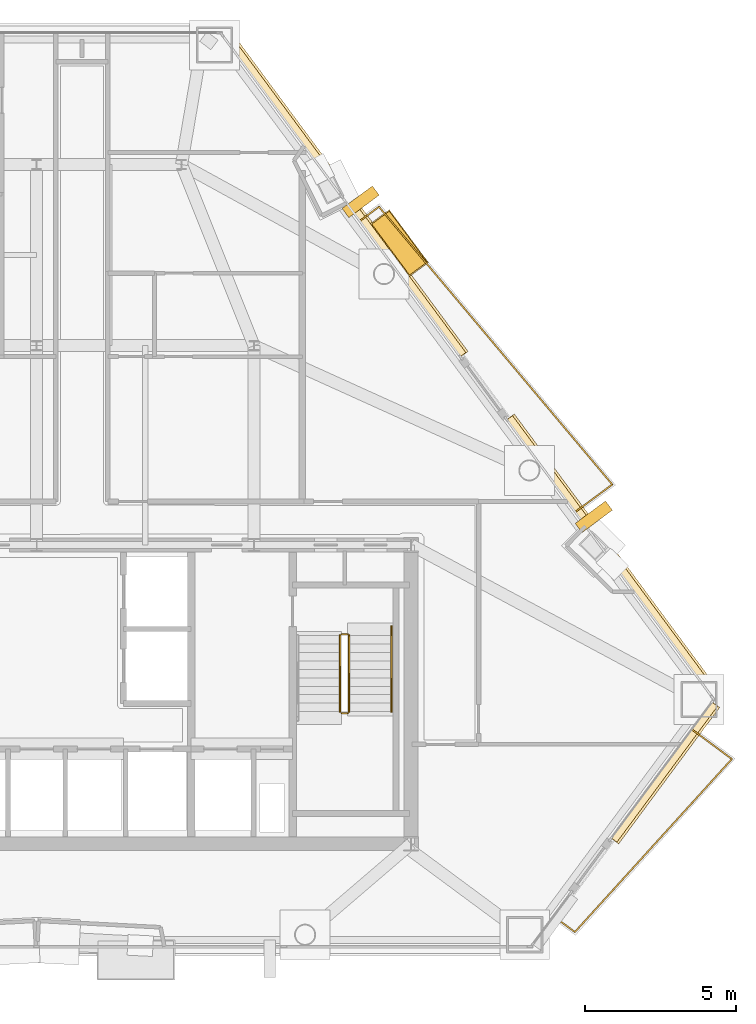
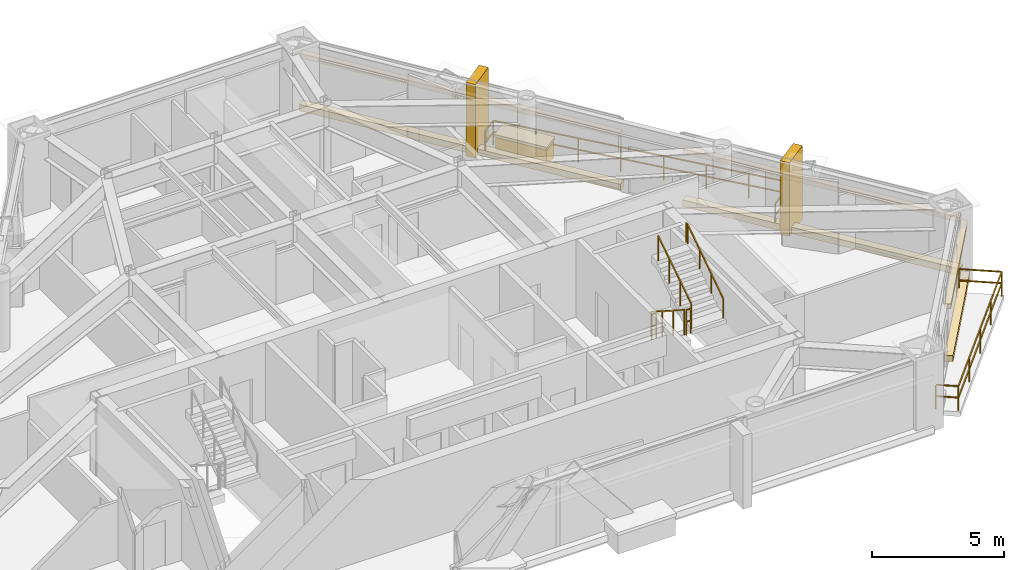
# One storey, part 11 of 11: 10 coverings, 7 railings.
"""IFC4 building model written with IfcOpenShell, lengths in metres."""

from ifc_helpers import new_model, si_unit, direction, frame, origin, origin_2d, place, context, subcontext, project, spatial, rectangle, extrude, material, layer, layer_set, type_object, element, save


model = new_model("IFC4")

# Units and contexts
model_context = context("Model", 3, precision=1e-05, world=origin(), true_north=direction((0.0, 1.0)))
body_context = subcontext(model_context, "Body", "Model", "MODEL_VIEW")
ifc_project = project(units=[si_unit("LENGTHUNIT", "METRE"), si_unit("AREAUNIT", "SQUARE_METRE"), si_unit("VOLUMEUNIT", "CUBIC_METRE"), si_unit("PLANEANGLEUNIT", "RADIAN"), si_unit("MASSUNIT", "GRAM", prefix="KILO")], contexts=[model_context])

# Site, building, storey
site_placement = place(None, origin())
site = spatial("IfcSite", under=ifc_project, at=site_placement, CompositionType="ELEMENT")
building_placement = place(site_placement, origin())
building = spatial("IfcBuilding", under=site, at=building_placement, Name="Talgorran Terracotta Tower", CompositionType="ELEMENT")
storey_placement = place(building_placement, frame((0.0, 0.0, 110.39990234375)))
storey = spatial("IfcBuildingStorey", under=building, at=storey_placement, Name="L28", CompositionType="ELEMENT", Elevation=110.39990234375)

# Coverings
ifc_material_1 = material(Name="Kiln-Fired Terracotta Ochre Ceramic", Category="masonry")
ifc_layer_1 = layer(ifc_material_1, 0.179931640625, Name="COV_BAGUETTE_TERRACOTTA_SCREEN")
ifc_layer_set_1 = layer_set([ifc_layer_1], Name="Kiln-Fired Terracotta Ochre Ceramic")
covering_type_1 = type_object("IfcCoveringType", Name="COV_BAGUETTE_TERRACOTTA_SCREEN", PredefinedType="CLADDING", material=ifc_layer_set_1)
covering_1_placement = place(storey_placement, frame((20.780517578125, -11.715087890625, 2.41015625), z_axis=(0.0, 0.0, 1.0), x_axis=(0.594906963183, 0.803794566513, 0.0)))
element("IfcCovering", 1, at=covering_1_placement, inside=storey, type_object=covering_type_1, Name="L28 Terracotta Baguette Solar Screen Assembly F31", PredefinedType="CLADDING", context=body_context, shape_type="SweptSolid", body=[
    extrude(rectangle(XDim=5.60205078125, YDim=0.260009765625, at=origin_2d()), origin(), (0.0, 0.0, 1.0), 0.219970703125),
])
covering_2_placement = place(storey_placement, frame((19.05224609375, -4.581298828125, 2.41015625), z_axis=(0.0, 0.0, 1.0), x_axis=(-0.594906963183, 0.803794566513, 0.0)))
element("IfcCovering", 2, at=covering_2_placement, inside=storey, type_object=covering_type_1, Name="L28 Terracotta Baguette Solar Screen Assembly F40", PredefinedType="CLADDING", context=body_context, shape_type="SweptSolid", body=[
    extrude(rectangle(XDim=11.412109375, YDim=0.260009765625, at=origin_2d()), origin(), (0.0, 0.0, 1.0), 0.219970703125),
])
covering_3_placement = place(storey_placement, frame((10.17431640625, 7.414306640625, 2.41015625), z_axis=(0.0, 0.0, 1.0), x_axis=(-0.594906963183, 0.803794566513, 0.0)))
element("IfcCovering", 3, at=covering_3_placement, inside=storey, type_object=covering_type_1, Name="L28 Terracotta Baguette Solar Screen Assembly F41", PredefinedType="CLADDING", context=body_context, shape_type="SweptSolid", body=[
    extrude(rectangle(XDim=13.23486328125, YDim=0.260009765625, at=origin_2d()), origin(), (0.0, 0.0, 1.0), 0.219970703125),
])
ifc_material_2 = material(Name="Honed Limestone and Terracotta Planter", Category="masonry")
ifc_layer_2 = layer(ifc_material_2, 0.1201171875, Name="COV_PLANTER_BOX")
ifc_layer_set_2 = layer_set([ifc_layer_2], Name="Honed Limestone and Terracotta Planter")
covering_type_2 = type_object("IfcCoveringType", Name="COV_PLANTER_BOX", PredefinedType="CLADDING", material=ifc_layer_set_2)
covering_4_placement = place(storey_placement, frame((12.01611328125, 5.798095703125, -0.02001953125), z_axis=(0.0, 0.0, 1.0), x_axis=(-0.594906963183, 0.803794566513, 0.0)))
element("IfcCovering", 4, at=covering_4_placement, inside=storey, type_object=covering_type_2, Name="L28 Staggered Balcony Planter Box BAL-NE", PredefinedType="CLADDING", context=body_context, shape_type="SweptSolid", body=[
    extrude(rectangle(XDim=2.10009765625, YDim=0.719970703125, at=origin_2d()), origin(), (0.0, 0.0, 1.0), 0.860107421875),
])
ifc_material_3 = material(Name="Kiln-Fired Terracotta Planter Rim", Category="masonry")
ifc_layer_3 = layer(ifc_material_3, 0.10009765625, Name="COV_PLANTER_RIM")
ifc_layer_set_3 = layer_set([ifc_layer_3], Name="Kiln-Fired Terracotta Planter Rim")
covering_type_3 = type_object("IfcCoveringType", Name="COV_PLANTER_RIM", PredefinedType="CLADDING", material=ifc_layer_set_3)
covering_5_placement = place(storey_placement, frame((12.01611328125, 5.798095703125, 0.800048828125), z_axis=(0.0, 0.0, 1.0), x_axis=(-0.594906963183, 0.803794566513, 0.0)))
element("IfcCovering", 5, at=covering_5_placement, inside=storey, type_object=covering_type_3, Name="L28 Balcony Planter Terracotta Rim BAL-NE", PredefinedType="CLADDING", context=body_context, shape_type="SweptSolid", body=[
    extrude(rectangle(XDim=2.179931640625, YDim=0.780029296875, at=origin_2d()), origin(), (0.0, 0.0, 1.0), 0.1201171875),
])
ifc_material_4 = material(Name="Honed Limestone Cladding", Category="masonry")
ifc_layer_4 = layer(ifc_material_4, 0.094970703125, Name="COV_PORTAL_LIME")
ifc_layer_set_4 = layer_set([ifc_layer_4], Name="Honed Limestone Cladding")
covering_type_4 = type_object("IfcCoveringType", Name="COV_PORTAL_LIME", PredefinedType="CLADDING", material=ifc_layer_set_4)
covering_6_placement = place(storey_placement, frame((20.8125, -11.73876953125, -0.0400390625), z_axis=(0.0, 0.0, 1.0), x_axis=(0.594906963183, 0.803794566513, 0.0)))
element("IfcCovering", 6, at=covering_6_placement, inside=storey, type_object=covering_type_4, Name="L28 Striped Postmodern Portal Cladding Band F31", PredefinedType="CLADDING", context=body_context, shape_type="SweptSolid", body=[
    extrude(rectangle(XDim=5.6220703125, YDim=0.340087890625, at=origin_2d()), origin(), (0.0, 0.0, 1.0), 0.300048828125),
])
covering_7_placement = place(storey_placement, frame((19.08447265625, -4.557373046875, -0.0400390625), z_axis=(0.0, 0.0, 1.0), x_axis=(-0.594906963183, 0.803794566513, 0.0)))
element("IfcCovering", 7, at=covering_7_placement, inside=storey, type_object=covering_type_4, Name="L28 Striped Postmodern Portal Cladding Band F40", PredefinedType="CLADDING", context=body_context, shape_type="SweptSolid", body=[
    extrude(rectangle(XDim=11.43212890625, YDim=0.340087890625, at=origin_2d()), origin(), (0.0, 0.0, 1.0), 0.300048828125),
])
covering_8_placement = place(storey_placement, frame((10.206298828125, 7.43798828125, -0.0400390625), z_axis=(0.0, 0.0, 1.0), x_axis=(-0.594906963183, 0.803794566513, 0.0)))
element("IfcCovering", 8, at=covering_8_placement, inside=storey, type_object=covering_type_4, Name="L28 Striped Postmodern Portal Cladding Band F41", PredefinedType="CLADDING", context=body_context, shape_type="SweptSolid", body=[
    extrude(rectangle(XDim=13.2548828125, YDim=0.340087890625, at=origin_2d()), origin(), (0.0, 0.0, 1.0), 0.300048828125),
])
covering_9_placement = place(storey_placement, frame((10.73095703125, 7.16650390625, -0.0498046875), z_axis=(0.0, 0.0, 1.0), x_axis=(-0.594906963183, 0.803794566513, 0.0)))
element("IfcCovering", 9, at=covering_9_placement, inside=storey, type_object=covering_type_4, Name="L28 White Striped Portal Fin F3-2", PredefinedType="CLADDING", context=body_context, shape_type="SweptSolid", body=[
    extrude(rectangle(XDim=0.3798828125, YDim=1.25, at=origin_2d()), origin(), (0.0, 0.0, 1.0), 3.39990234375),
])
ifc_material_5 = material(Name="Kiln-Fired Terracotta Cladding", Category="masonry")
ifc_layer_5 = layer(ifc_material_5, 0.090087890625, Name="COV_PORTAL_TERRA")
ifc_layer_set_5 = layer_set([ifc_layer_5], Name="Kiln-Fired Terracotta Cladding")
covering_type_5 = type_object("IfcCoveringType", Name="COV_PORTAL_TERRA", PredefinedType="CLADDING", material=ifc_layer_set_5)
covering_10_placement = place(storey_placement, frame((18.45263671875, -3.2666015625, -0.0498046875), z_axis=(0.0, 0.0, 1.0), x_axis=(-0.594906963183, 0.803794566513, 0.0)))
element("IfcCovering", 10, at=covering_10_placement, inside=storey, type_object=covering_type_5, Name="L28 Terracotta Striped Portal Fin F3-1", PredefinedType="CLADDING", context=body_context, shape_type="SweptSolid", body=[
    extrude(rectangle(XDim=0.3798828125, YDim=1.25, at=origin_2d()), origin(), (0.0, 0.0, 1.0), 3.39990234375),
])

# Railings
ifc_material_6 = material(Name="Laminated Glass and Stainless Steel 316", Category="steel")
railing_type_1 = type_object("IfcRailingType", Name="RL_BALCONY_1150", PredefinedType="BALUSTRADE", material=ifc_material_6)
railing_1_placement = place(storey_placement, frame((17.85302734375, -3.095458984375, 0.0)))
element("IfcRailing", 11, at=railing_1_placement, inside=storey, type_object=railing_type_1, Name="RL-L28-BAL-BAL-NE", PredefinedType="BALUSTRADE", context=body_context, shape_type="SweptSolid", body=[
    extrude(rectangle(XDim=0.048095703125, YDim=0.048095703125, at=origin_2d()), frame((0.0, 0.0, 1.1259765625), z_axis=(0.803769188378, 0.594941250725, 0.0), x_axis=(-0.594941250725, 0.803769188378, 0.0)), (0.0, 0.0, 1.0), 1.50927734375),
    extrude(rectangle(XDim=0.048095703125, YDim=0.048095703125, at=origin_2d()), frame((0.0, 0.0, 0.597900390625), z_axis=(0.803769188378, 0.594941250725, 0.0), x_axis=(-0.594941250725, 0.803769188378, 0.0)), (0.0, 0.0, 1.0), 1.50927734375),
    extrude(rectangle(XDim=0.048095703125, YDim=0.048095703125, at=origin_2d()), frame((1.213134765625, 0.89794921875, 1.1259765625), z_axis=(-0.643321231976, 0.765596363947, 0.0), x_axis=(-0.765596363947, -0.643321231976, 0.0)), (0.0, 0.0, 1.0), 12.013916015625),
    extrude(rectangle(XDim=0.048095703125, YDim=0.048095703125, at=origin_2d()), frame((1.213134765625, 0.89794921875, 0.597900390625), z_axis=(-0.643321231976, 0.765596363947, 0.0), x_axis=(-0.765596363947, -0.643321231976, 0.0)), (0.0, 0.0, 1.0), 12.013916015625),
    extrude(rectangle(XDim=0.048095703125, YDim=0.048095703125, at=origin_2d()), frame((-6.515625, 10.095703125, 1.1259765625), z_axis=(-0.803832787442, -0.594855318403, 0.0), x_axis=(0.594855318403, -0.803832787442, 0.0)), (0.0, 0.0, 1.0), 0.768798828125),
    extrude(rectangle(XDim=0.048095703125, YDim=0.048095703125, at=origin_2d()), frame((-6.515625, 10.095703125, 0.597900390625), z_axis=(-0.803832787442, -0.594855318403, 0.0), x_axis=(0.594855318403, -0.803832787442, 0.0)), (0.0, 0.0, 1.0), 0.768798828125),
    extrude(rectangle(XDim=0.0419921875, YDim=0.0419921875, at=origin_2d()), origin(), (0.0, 0.0, 1.0), 1.101806640625),
    extrude(rectangle(XDim=0.0419921875, YDim=0.0419921875, at=origin_2d()), frame((1.213134765625, 0.89794921875, 0.0)), (0.0, 0.0, 1.0), 1.101806640625),
    extrude(rectangle(XDim=0.0419921875, YDim=0.0419921875, at=origin_2d()), frame((0.109130859375, 2.2119140625, 0.0)), (0.0, 0.0, 1.0), 1.101806640625),
    extrude(rectangle(XDim=0.0419921875, YDim=0.0419921875, at=origin_2d()), frame((-0.9951171875, 3.52587890625, 0.0)), (0.0, 0.0, 1.0), 1.101806640625),
    extrude(rectangle(XDim=0.0419921875, YDim=0.0419921875, at=origin_2d()), frame((-2.09912109375, 4.83984375, 0.0)), (0.0, 0.0, 1.0), 1.101806640625),
    extrude(rectangle(XDim=0.0419921875, YDim=0.0419921875, at=origin_2d()), frame((-3.203369140625, 6.15380859375, 0.0)), (0.0, 0.0, 1.0), 1.101806640625),
    extrude(rectangle(XDim=0.0419921875, YDim=0.0419921875, at=origin_2d()), frame((-4.307373046875, 7.4677734375, 0.0)), (0.0, 0.0, 1.0), 1.101806640625),
    extrude(rectangle(XDim=0.0419921875, YDim=0.0419921875, at=origin_2d()), frame((-5.41162109375, 8.78173828125, 0.0)), (0.0, 0.0, 1.0), 1.101806640625),
    extrude(rectangle(XDim=0.0419921875, YDim=0.0419921875, at=origin_2d()), frame((-6.515625, 10.095703125, 0.0)), (0.0, 0.0, 1.0), 1.101806640625),
    extrude(rectangle(XDim=0.0419921875, YDim=0.0419921875, at=origin_2d()), frame((-7.133544921875, 9.638427734375, 0.0)), (0.0, 0.0, 1.0), 1.101806640625),
])
railing_2_placement = place(storey_placement, frame((17.134521484375, -16.506591796875, 0.0)))
element("IfcRailing", 12, at=railing_2_placement, inside=storey, type_object=railing_type_1, Name="RL-L28-BAL-BAL-SE", PredefinedType="BALUSTRADE", context=body_context, shape_type="SweptSolid", body=[
    extrude(rectangle(XDim=0.048095703125, YDim=0.048095703125, at=origin_2d()), frame((0.0, 0.0, 1.1259765625), z_axis=(0.803863599456, -0.594813679626, 0.0), x_axis=(0.594813679626, 0.803863599456, 0.0)), (0.0, 0.0, 1.0), 0.860595703125),
    extrude(rectangle(XDim=0.048095703125, YDim=0.048095703125, at=origin_2d()), frame((0.0, 0.0, 0.597900390625), z_axis=(0.803863599456, -0.594813679626, 0.0), x_axis=(0.594813679626, 0.803863599456, 0.0)), (0.0, 0.0, 1.0), 0.860595703125),
    extrude(rectangle(XDim=0.048095703125, YDim=0.048095703125, at=origin_2d()), frame((0.69189453125, -0.511962890625, 1.1259765625), z_axis=(0.672143383383, 0.740421010085, 0.0), x_axis=(-0.740421010085, 0.672143383383, 0.0)), (0.0, 0.0, 1.0), 7.73779296875),
    extrude(rectangle(XDim=0.048095703125, YDim=0.048095703125, at=origin_2d()), frame((0.69189453125, -0.511962890625, 0.597900390625), z_axis=(0.672143383383, 0.740421010085, 0.0), x_axis=(-0.740421010085, 0.672143383383, 0.0)), (0.0, 0.0, 1.0), 7.73779296875),
    extrude(rectangle(XDim=0.048095703125, YDim=0.048095703125, at=origin_2d()), frame((5.892822265625, 5.21728515625, 1.1259765625), z_axis=(-0.803734635848, 0.594987928565, 0.0), x_axis=(-0.594987928565, -0.803734635848, 0.0)), (0.0, 0.0, 1.0), 1.6328125),
    extrude(rectangle(XDim=0.048095703125, YDim=0.048095703125, at=origin_2d()), frame((5.892822265625, 5.21728515625, 0.597900390625), z_axis=(-0.803734635848, 0.594987928565, 0.0), x_axis=(-0.594987928565, -0.803734635848, 0.0)), (0.0, 0.0, 1.0), 1.6328125),
    extrude(rectangle(XDim=0.0419921875, YDim=0.0419921875, at=origin_2d()), origin(), (0.0, 0.0, 1.0), 1.101806640625),
    extrude(rectangle(XDim=0.0419921875, YDim=0.0419921875, at=origin_2d()), frame((0.69189453125, -0.511962890625, 0.0)), (0.0, 0.0, 1.0), 1.101806640625),
    extrude(rectangle(XDim=0.0419921875, YDim=0.0419921875, at=origin_2d()), frame((1.9921875, 0.92041015625, 0.0)), (0.0, 0.0, 1.0), 1.101806640625),
    extrude(rectangle(XDim=0.0419921875, YDim=0.0419921875, at=origin_2d()), frame((3.29248046875, 2.3525390625, 0.0)), (0.0, 0.0, 1.0), 1.101806640625),
    extrude(rectangle(XDim=0.0419921875, YDim=0.0419921875, at=origin_2d()), frame((4.592529296875, 3.784912109375, 0.0)), (0.0, 0.0, 1.0), 1.101806640625),
    extrude(rectangle(XDim=0.0419921875, YDim=0.0419921875, at=origin_2d()), frame((5.892822265625, 5.21728515625, 0.0)), (0.0, 0.0, 1.0), 1.101806640625),
    extrude(rectangle(XDim=0.0419921875, YDim=0.0419921875, at=origin_2d()), frame((4.58056640625, 6.188720703125, 0.0)), (0.0, 0.0, 1.0), 1.101806640625),
])
ifc_material_7 = material(Name="Steel S355 (300PLUS)", Category="steel")
railing_type_2 = type_object("IfcRailingType", Name="RL_HANDRAIL_920", PredefinedType="HANDRAIL", material=ifc_material_7)
railing_3_placement = place(storey_placement, frame((11.75, -9.719970703125, 1.97998046875)))
element("IfcRailing", 13, at=railing_3_placement, inside=storey, type_object=railing_type_2, Name="L28 ST-02 stair handrail 2", PredefinedType="HANDRAIL", context=body_context, shape_type="SweptSolid", body=[
    extrude(rectangle(XDim=0.048095703125, YDim=0.048095703125, at=origin_2d()), frame((0.0, 0.0, 0.89599609375), z_axis=(0.0, 0.832038719335, 0.554717558338), x_axis=(-1.0, 0.0, 0.0)), (0.0, 0.0, 1.0), 3.244873046875),
    extrude(rectangle(XDim=0.048095703125, YDim=0.048095703125, at=origin_2d()), frame((0.0, 2.699951171875, 2.69580078125), z_axis=(0.0, 1.0, 0.0), x_axis=(-1.0, 0.0, 0.0)), (0.0, 0.0, 1.0), 0.1201171875),
    extrude(rectangle(XDim=0.0419921875, YDim=0.0419921875, at=origin_2d()), origin(), (0.0, 0.0, 1.0), 0.871826171875),
    extrude(rectangle(XDim=0.0419921875, YDim=0.0419921875, at=origin_2d()), frame((0.0, 0.89990234375, 0.60009765625)), (0.0, 0.0, 1.0), 0.871826171875),
    extrude(rectangle(XDim=0.0419921875, YDim=0.0419921875, at=origin_2d()), frame((0.0, 1.800048828125, 1.199951171875)), (0.0, 0.0, 1.0), 0.871826171875),
    extrude(rectangle(XDim=0.0419921875, YDim=0.0419921875, at=origin_2d()), frame((0.0, 2.699951171875, 1.800048828125)), (0.0, 0.0, 1.0), 0.871826171875),
    extrude(rectangle(XDim=0.0419921875, YDim=0.0419921875, at=origin_2d()), frame((0.0, 2.820068359375, 1.800048828125)), (0.0, 0.0, 1.0), 0.871826171875),
])
railing_type_3 = type_object("IfcRailingType", Name="RL_STAIR_GUARD", PredefinedType="GUARDRAIL", material=ifc_material_7)
railing_4_placement = place(storey_placement, frame((10.050048828125, -7.199951171875, 0.18017578125)))
element("IfcRailing", 14, at=railing_4_placement, inside=storey, type_object=railing_type_3, Name="L28 ST-02 stair guard 1", PredefinedType="GUARDRAIL", context=body_context, shape_type="SweptSolid", body=[
    extrude(rectangle(XDim=0.048095703125, YDim=0.048095703125, at=origin_2d()), frame((0.0, 0.0, 1.15576171875), z_axis=(0.0, -0.841199657755, 0.540724639528), x_axis=(1.0, 0.0, 0.0)), (0.0, 0.0, 1.0), 2.995849609375),
    extrude(rectangle(XDim=0.0419921875, YDim=0.0419921875, at=origin_2d()), origin(), (0.0, 0.0, 1.0), 1.1318359375),
    extrude(rectangle(XDim=0.0419921875, YDim=0.0419921875, at=origin_2d()), frame((0.0, -0.840087890625, 0.5400390625)), (0.0, 0.0, 1.0), 1.1318359375),
    extrude(rectangle(XDim=0.0419921875, YDim=0.0419921875, at=origin_2d()), frame((0.0, -1.679931640625, 1.079833984375)), (0.0, 0.0, 1.0), 1.1318359375),
    extrude(rectangle(XDim=0.0419921875, YDim=0.0419921875, at=origin_2d()), frame((0.0, -2.52001953125, 1.619873046875)), (0.0, 0.0, 1.0), 1.1318359375),
])
railing_5_placement = place(storey_placement, frame((10.10009765625, -9.77001953125, 1.800048828125)))
element("IfcRailing", 15, at=railing_5_placement, inside=storey, type_object=railing_type_3, Name="L28 ST-02 stair guard 2", PredefinedType="GUARDRAIL", context=body_context, shape_type="SweptSolid", body=[
    extrude(rectangle(XDim=0.048095703125, YDim=0.048095703125, at=origin_2d()), frame((0.0, 0.0, 1.15576171875), z_axis=(1.0, 0.0, 0.0), x_axis=(0.0, 1.0, 0.0)), (0.0, 0.0, 1.0), 0.199951171875),
    extrude(rectangle(XDim=0.048095703125, YDim=0.048095703125, at=origin_2d()), frame((0.0, 0.0, 0.613525390625), z_axis=(1.0, 0.0, 0.0), x_axis=(0.0, 1.0, 0.0)), (0.0, 0.0, 1.0), 0.199951171875),
    extrude(rectangle(XDim=0.0419921875, YDim=0.0419921875, at=origin_2d()), origin(), (0.0, 0.0, 1.0), 1.1318359375),
    extrude(rectangle(XDim=0.0419921875, YDim=0.0419921875, at=origin_2d()), frame((0.199951171875, 0.0, 0.0)), (0.0, 0.0, 1.0), 1.1318359375),
])
railing_6_placement = place(storey_placement, frame((10.35009765625, -9.719970703125, 1.97998046875)))
element("IfcRailing", 16, at=railing_6_placement, inside=storey, type_object=railing_type_3, Name="L28 ST-02 stair guard 3", PredefinedType="GUARDRAIL", context=body_context, shape_type="SweptSolid", body=[
    extrude(rectangle(XDim=0.048095703125, YDim=0.048095703125, at=origin_2d()), frame((0.0, 0.0, 1.15576171875), z_axis=(0.0, 0.841162588446, 0.540782303519), x_axis=(-1.0, 0.0, 0.0)), (0.0, 0.0, 1.0), 2.995849609375),
    extrude(rectangle(XDim=0.0419921875, YDim=0.0419921875, at=origin_2d()), origin(), (0.0, 0.0, 1.0), 1.1318359375),
    extrude(rectangle(XDim=0.0419921875, YDim=0.0419921875, at=origin_2d()), frame((0.0, 0.840087890625, 0.5400390625)), (0.0, 0.0, 1.0), 1.1318359375),
    extrude(rectangle(XDim=0.0419921875, YDim=0.0419921875, at=origin_2d()), frame((0.0, 1.679931640625, 1.080078125)), (0.0, 0.0, 1.0), 1.1318359375),
    extrude(rectangle(XDim=0.0419921875, YDim=0.0419921875, at=origin_2d()), frame((0.0, 2.52001953125, 1.6201171875)), (0.0, 0.0, 1.0), 1.1318359375),
])
railing_7_placement = place(storey_placement, frame((10.10009765625, -7.14990234375, 0.0)))
element("IfcRailing", 17, at=railing_7_placement, inside=storey, type_object=railing_type_3, Name="L28 ST-02 stair guard 4", PredefinedType="GUARDRAIL", context=body_context, shape_type="SweptSolid", body=[
    extrude(rectangle(XDim=0.048095703125, YDim=0.048095703125, at=origin_2d()), frame((0.0, 0.0, 1.15576171875), z_axis=(1.0, 0.0, 0.0), x_axis=(0.0, 1.0, 0.0)), (0.0, 0.0, 1.0), 0.199951171875),
    extrude(rectangle(XDim=0.048095703125, YDim=0.048095703125, at=origin_2d()), frame((0.0, 0.0, 0.613525390625), z_axis=(1.0, 0.0, 0.0), x_axis=(0.0, 1.0, 0.0)), (0.0, 0.0, 1.0), 0.199951171875),
    extrude(rectangle(XDim=0.0419921875, YDim=0.0419921875, at=origin_2d()), origin(), (0.0, 0.0, 1.0), 1.1318359375),
    extrude(rectangle(XDim=0.0419921875, YDim=0.0419921875, at=origin_2d()), frame((0.199951171875, 0.0, 0.0)), (0.0, 0.0, 1.0), 1.1318359375),
])

save(model, "model.ifc")
